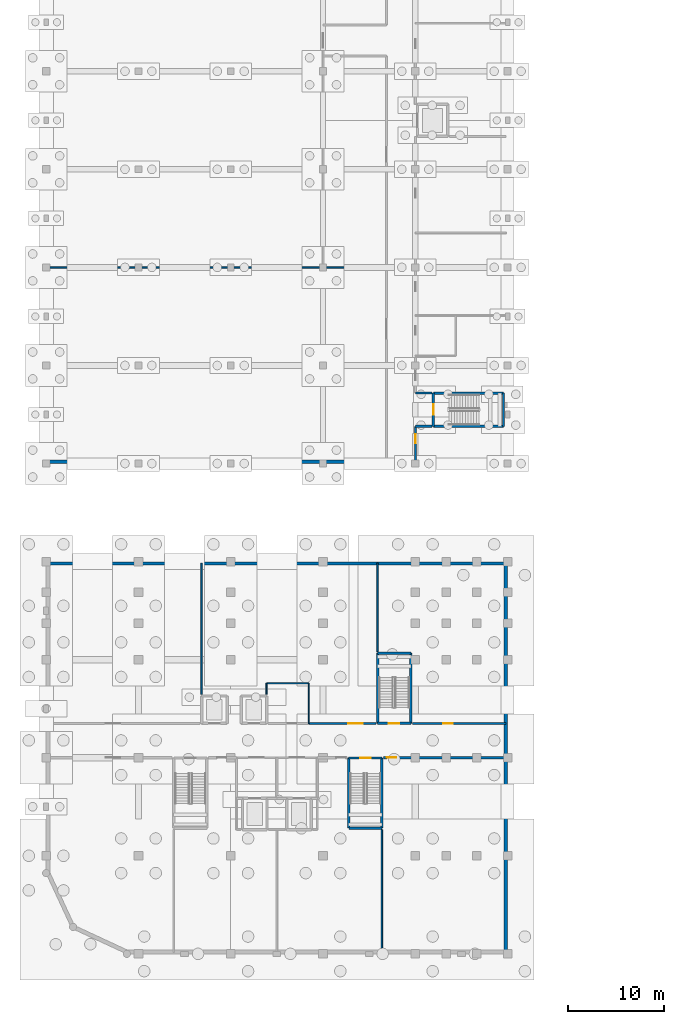
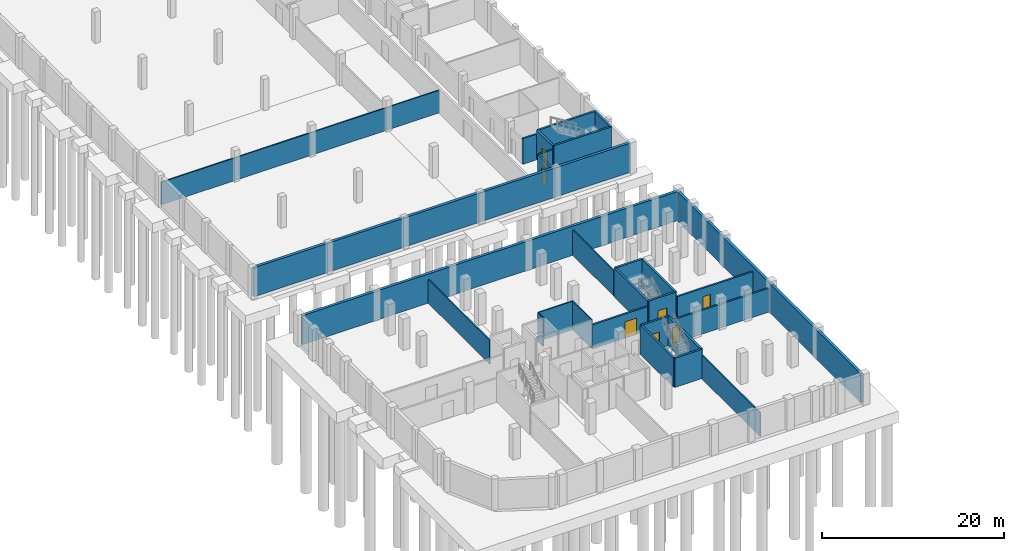
# One storey, part 10 of 18: 28 walls, 7 doors, 7 openings.
"""IFC4 building model written with IfcOpenShell, lengths in metres."""

import ifcopenshell
import ifcopenshell.guid

model = None  # the IFC model being written
_history = None  # IfcOwnerHistory: only IFC2X3 demands one
_inside = {}  # id of a spatial element -> (the spatial element, [elements in it])
_under = {}  # id of a project, library or spatial element -> (it, [spatial elements below it])
_declared = {}  # id of a project -> (the project, [libraries it declares])
_typed = {}  # id of a type object -> (the type object, [elements of that type])
_made_of = {}  # id of a material, layer set ... -> (it, [elements and type objects made of it])


def new_model(schema):
    """Start an empty IFC model of exactly this schema.

    Asked for "IFC4X3", IfcOpenShell would pick the latest addendum, in which some entities
    have other attributes; the version numbers below select the first issue.
    IFC2X3 requires an IfcOwnerHistory on every rooted entity: one is made here for all.
    """
    global model, _history
    if schema == "IFC4X3":
        model = ifcopenshell.file(schema_version=(4, 3, 0, 0))
    else:
        model = ifcopenshell.file(schema=schema)
    _inside.clear()
    _under.clear()
    _declared.clear()
    _typed.clear()
    _made_of.clear()
    _history = None
    if model.schema == "IFC2X3":
        org = make("IfcOrganization", Name="unknown")
        user = make(
            "IfcPersonAndOrganization",
            ThePerson=make("IfcPerson", FamilyName="unknown"),
            TheOrganization=org,
        )
        app = make(
            "IfcApplication",
            ApplicationDeveloper=org,
            Version="unknown",
            ApplicationFullName="unknown",
            ApplicationIdentifier="unknown",
        )
        _history = make(
            "IfcOwnerHistory",
            OwningUser=user,
            OwningApplication=app,
            ChangeAction="ADDED",
            CreationDate=0,
        )
    return model


def make(cls, **values):
    """One entity of the class cls with the attributes given. An attribute that is None is left unset."""
    return model.create_entity(
        cls, **{name: value for name, value in values.items() if value is not None}
    )


def rooted(cls, **values):
    """An entity with a GlobalId (a new one), such as an element, a storey or a relation."""
    return make(cls, GlobalId=ifcopenshell.guid.new(), OwnerHistory=_history, **values)


def si_unit(unit_type, name, prefix=None):
    """IfcSIUnit, for example si_unit("LENGTHUNIT", "METRE", prefix="MILLI")."""
    return make("IfcSIUnit", UnitType=unit_type, Prefix=prefix, Name=name)


def assignment(units):
    """IfcUnitAssignment: the units of a project."""
    return None if units is None else make("IfcUnitAssignment", Units=units)


def point(xyz):
    """IfcCartesianPoint."""
    return None if xyz is None else make("IfcCartesianPoint", Coordinates=xyz)


def direction(xyz):
    """IfcDirection."""
    return None if xyz is None else make("IfcDirection", DirectionRatios=xyz)


def frame(location, z_axis=None, x_axis=None):
    """IfcAxis2Placement3D, a coordinate frame: its origin and axes. An axis left out is left unset."""
    return make(
        "IfcAxis2Placement3D",
        Location=point(location),
        Axis=direction(z_axis),
        RefDirection=direction(x_axis),
    )


def frame_2d(location, x_axis=None):
    """IfcAxis2Placement2D, a coordinate frame in the plane: its origin and x axis."""
    return make(
        "IfcAxis2Placement2D", Location=point(location), RefDirection=direction(x_axis)
    )


def origin():
    """The frame at (0, 0, 0) with its axes left unset."""
    return frame((0.0, 0.0, 0.0))


def place(relative_to, where):
    """IfcLocalPlacement: puts the frame where relative to a parent placement (None: the world)."""
    return make(
        "IfcLocalPlacement", PlacementRelTo=relative_to, RelativePlacement=where
    )


def context(
    kind, dimensions, precision=None, world=None, true_north=None, identifier=None
):
    """IfcGeometricRepresentationContext, for example the 3D "Model" context."""
    return make(
        "IfcGeometricRepresentationContext",
        ContextIdentifier=identifier,
        ContextType=kind,
        CoordinateSpaceDimension=dimensions,
        Precision=precision,
        WorldCoordinateSystem=world,
        TrueNorth=true_north,
    )


def subcontext(parent, identifier, kind, view, scale=None):
    """IfcGeometricRepresentationSubContext, for example "Body" below "Model"."""
    return make(
        "IfcGeometricRepresentationSubContext",
        ContextIdentifier=identifier,
        ContextType=kind,
        ParentContext=parent,
        TargetScale=scale,
        TargetView=view,
    )


def project(units=None, contexts=None):
    """IfcProject with its units and contexts."""
    return rooted(
        "IfcProject",
        Name="project",
        RepresentationContexts=contexts,
        UnitsInContext=assignment(units),
    )


def spatial(cls, under=None, at=None, **own):
    """A site, building, storey or space (cls), placed at a placement, below another one or the project."""
    s = rooted(cls, ObjectPlacement=at, **own)
    if under is not None:
        _under.setdefault(under.id(), (under, []))[1].append(s)
    return s


def profile(cls, at=None, kind="AREA", **sizes):
    """A parametric profile (cls). Its sizes go by their IFC names, for example OverallWidth=200.0."""
    return make(cls, ProfileType=kind, Position=at, **sizes)


def rectangle(**sizes):
    """IfcRectangleProfileDef."""
    return profile("IfcRectangleProfileDef", **sizes)


def extrude(swept, where, along, depth):
    """IfcExtrudedAreaSolid: the profile swept, set in the frame where, extruded along a direction by depth."""
    return make(
        "IfcExtrudedAreaSolid",
        SweptArea=swept,
        Position=where,
        ExtrudedDirection=direction(along),
        Depth=depth,
    )


def shape(context_of_items, identifier, shape_type, items):
    """IfcShapeRepresentation: the items that make up one representation, for example the "Body"."""
    return make(
        "IfcShapeRepresentation",
        ContextOfItems=context_of_items,
        RepresentationIdentifier=identifier,
        RepresentationType=shape_type,
        Items=items,
    )


def material(Name=None, Category=None):
    """IfcMaterial."""
    return make("IfcMaterial", Name=Name, Category=Category)


def layer(
    of_material, thickness, ventilated=None, Name=None, Category=None, Priority=None
):
    """IfcMaterialLayer: one layer of a wall or slab, of a material (None: an air gap)."""
    return make(
        "IfcMaterialLayer",
        Material=of_material,
        LayerThickness=thickness,
        IsVentilated=ventilated,
        Name=Name,
        Category=Category,
        Priority=Priority,
    )


def layer_set(layers, Name=None):
    """IfcMaterialLayerSet."""
    return make("IfcMaterialLayerSet", MaterialLayers=layers, LayerSetName=Name)


def made_of(thing, what):
    """Note that an element or type object is made of a material, layer set ...; save() writes the relation."""
    if what is not None:
        _made_of.setdefault(what.id(), (what, []))[1].append(thing)
    return thing


def type_object(cls, material=None, **own):
    """A type object (cls), such as IfcWallType, which elements share."""
    return made_of(rooted(cls, **own), material)


def element(
    cls,
    number,
    at=None,
    inside=None,
    cuts=None,
    type_object=None,
    material=None,
    context=None,
    identifier="Body",
    shape_type=None,
    held_by="IfcProductDefinitionShape",
    body=None,
    shapes=None,
    **own,
):
    """One element of the class cls, such as IfcWall. Its Tag is "e" and its number.

    at: its placement. inside: the storey or other place that contains it. cuts: it is an
    opening in that element (IfcRelVoidsElement). A single representation is given by context,
    identifier, shape_type and body (its items); several are given by shapes. held_by: the class
    of the entity that holds the representations. save() writes the other relations.
    """
    e = rooted(cls, Tag="e%d" % number, ObjectPlacement=at, **own)
    if body is not None:
        shapes = [shape(context, identifier, shape_type, body)]
    if shapes is not None:
        e.Representation = make(held_by, Representations=shapes)
    if inside is not None:
        _inside.setdefault(inside.id(), (inside, []))[1].append(e)
    if cuts is not None:
        rooted(
            "IfcRelVoidsElement", RelatingBuildingElement=cuts, RelatedOpeningElement=e
        )
    if type_object is not None:
        _typed.setdefault(type_object.id(), (type_object, []))[1].append(e)
    return made_of(e, material)


def fill(opening, filler):
    """IfcRelFillsElement: the door or window that sits in an opening."""
    return rooted(
        "IfcRelFillsElement",
        RelatingOpeningElement=opening,
        RelatedBuildingElement=filler,
    )


def aggregate(whole, parts):
    """IfcRelAggregates: a whole, such as a stair, and the parts it consists of."""
    return rooted("IfcRelAggregates", RelatingObject=whole, RelatedObjects=parts)


def save(model, path):
    """Write the relations noted so far, then the file.

    IfcRelAggregates (storeys below a building ...), IfcRelContainedInSpatialStructure (elements
    in a storey), IfcRelDefinesByType, IfcRelAssociatesMaterial and IfcRelDeclares: one each for
    every whole, place, type object, material and project.
    """
    for whole, parts in _under.values():
        aggregate(whole, parts)
    for where, things in _inside.values():
        rooted(
            "IfcRelContainedInSpatialStructure",
            RelatedElements=things,
            RelatingStructure=where,
        )
    for kind, things in _typed.values():
        rooted("IfcRelDefinesByType", RelatedObjects=things, RelatingType=kind)
    for what, things in _made_of.values():
        rooted("IfcRelAssociatesMaterial", RelatedObjects=things, RelatingMaterial=what)
    for by, libraries in _declared.values():
        rooted("IfcRelDeclares", RelatingContext=by, RelatedDefinitions=libraries)
    model.write(path)


model = new_model("IFC4")

# Units and contexts
model_context = context("Model", 3, precision=1e-05, world=origin(), true_north=direction((0.0, 1.0)))
body_context = subcontext(model_context, "Body", "Model", "MODEL_VIEW")
ifc_project = project(units=[si_unit("LENGTHUNIT", "METRE"), si_unit("AREAUNIT", "SQUARE_METRE"), si_unit("VOLUMEUNIT", "CUBIC_METRE"), si_unit("PLANEANGLEUNIT", "RADIAN"), si_unit("MASSUNIT", "GRAM", prefix="KILO")], contexts=[model_context])

# Site, building, storey
site_placement = place(None, origin())
site = spatial("IfcSite", under=ifc_project, at=site_placement, CompositionType="ELEMENT")
building_placement = place(site_placement, origin())
building = spatial("IfcBuilding", under=site, at=building_placement, Name="Vondelvale Polytechnic", CompositionType="ELEMENT")
storey_placement = place(building_placement, frame((0.0, 0.0, -4.199951171875)))
storey = spatial("IfcBuildingStorey", under=building, at=storey_placement, Name="B1", CompositionType="ELEMENT", Elevation=-4.199951171875)

# Walls
ifc_material_1 = material(Name="Concrete N40 (f'c = 40 MPa)", Category="concrete")
ifc_layer_1 = layer(ifc_material_1, 0.25)
ifc_layer_set_1 = layer_set([ifc_layer_1], Name="WL-CORE-250")
wall_type_1 = type_object("IfcWallType", Name="WL-CORE-250", PredefinedType="SOLIDWALL", material=ifc_layer_set_1)
wall_1_placement = place(storey_placement, frame((40.27490234375, 54.875, 0.0), z_axis=(0.0, 0.0, 1.0), x_axis=(1.0, 0.0, 0.0)))
element("IfcWall", 1, at=wall_1_placement, inside=storey, type_object=wall_type_1, Name="B1 ST-01 reinforced concrete stair core wall", PredefinedType="SOLIDWALL", context=body_context, shape_type="SweptSolid", body=[
    extrude(rectangle(XDim=7.300048828125, YDim=0.25, at=frame_2d((3.64990234375, 0.0))), origin(), (0.0, 0.0, 1.0), 3.89990234375),
])
wall_2_placement = place(storey_placement, frame((47.574951171875, 54.875, 0.0), z_axis=(0.0, 0.0, 1.0), x_axis=(0.0, 1.0, 0.0)))
element("IfcWall", 2, at=wall_2_placement, inside=storey, type_object=wall_type_1, Name="B1 ST-01 reinforced concrete stair core wall", PredefinedType="SOLIDWALL", context=body_context, shape_type="SweptSolid", body=[
    extrude(rectangle(XDim=3.449951171875, YDim=0.25, at=frame_2d((1.72509765625, 0.0))), origin(), (0.0, 0.0, 1.0), 3.89990234375),
])
wall_3_placement = place(storey_placement, frame((47.574951171875, 58.324951171875, 0.0), z_axis=(0.0, 0.0, 1.0), x_axis=(-1.0, 0.0, 0.0)))
element("IfcWall", 3, at=wall_3_placement, inside=storey, type_object=wall_type_1, Name="B1 ST-01 reinforced concrete stair core wall", PredefinedType="SOLIDWALL", context=body_context, shape_type="SweptSolid", body=[
    extrude(rectangle(XDim=7.300048828125, YDim=0.25, at=frame_2d((3.64990234375, 0.0))), origin(), (0.0, 0.0, 1.0), 3.89990234375),
])

# Wall, opening, door
wall_4_placement = place(storey_placement, frame((40.27490234375, 58.324951171875, 0.0), z_axis=(0.0, 0.0, 1.0), x_axis=(0.0, -1.0, 0.0)))
wall_4 = element("IfcWall", 4, at=wall_4_placement, inside=storey, type_object=wall_type_1, Name="B1 ST-01 reinforced concrete stair core wall", PredefinedType="SOLIDWALL", context=body_context, shape_type="SweptSolid", body=[
    extrude(rectangle(XDim=3.449951171875, YDim=0.25, at=frame_2d((1.72509765625, 0.0))), origin(), (0.0, 0.0, 1.0), 3.89990234375),
])
opening_1_placement = place(wall_4_placement, frame((1.175048828125, 0.0, 0.0)))
opening_1 = element("IfcOpeningElement", 5, at=opening_1_placement, cuts=wall_4, Name="Opening SD-001", PredefinedType="OPENING", context=body_context, shape_type="SweptSolid", body=[
    extrude(rectangle(XDim=1.10009765625, YDim=2.199951171875, at=frame_2d((0.550048828125, 1.10009765625))), frame((0.0, 0.135009765625, 0.0), z_axis=(0.0, -1.0, 0.0), x_axis=(1.0, 0.0, 0.0)), (0.0, 0.0, 1.0), 0.27001953125),
])
ifc_material_2 = material(Name="Brushed architectural stainless and zinc-coated metal")
door_type_1 = type_object("IfcDoorType", Name="DR-STAIR-1100x2200", OperationType="SINGLE_SWING_LEFT", PredefinedType="DOOR", material=ifc_material_2)
door_1_placement = place(opening_1_placement, origin())
door_1 = element("IfcDoor", 6, at=door_1_placement, inside=storey, type_object=door_type_1, Name="B1 ST-01 fire-isolated stair door", OperationType="SINGLE_SWING_LEFT", OverallHeight=2.199951171875, OverallWidth=1.10009765625, PredefinedType="DOOR", context=body_context, shape_type="SweptSolid", body=[
    extrude(rectangle(XDim=1.10009765625, YDim=2.199951171875, at=frame_2d((0.550048828125, 1.10009765625))), frame((0.0, 0.02490234375, 0.0), z_axis=(0.0, -1.0, 0.0), x_axis=(1.0, 0.0, 0.0)), (0.0, 0.0, 1.0), 0.050048828125),
])
fill(opening_1, door_1)

# Walls
wall_5_placement = place(storey_placement, frame((31.47509765625, 20.375, 0.0), z_axis=(0.0, 0.0, 1.0), x_axis=(0.0, -1.0, 0.0)))
element("IfcWall", 7, at=wall_5_placement, inside=storey, type_object=wall_type_1, Name="B1 ST-04 reinforced concrete stair core wall", PredefinedType="SOLIDWALL", context=body_context, shape_type="SweptSolid", body=[
    extrude(rectangle(XDim=7.300048828125, YDim=0.25, at=frame_2d((3.64990234375, 0.0))), origin(), (0.0, 0.0, 1.0), 3.89990234375),
])
wall_6_placement = place(storey_placement, frame((31.47509765625, 13.074951171875, 0.0), z_axis=(0.0, 0.0, 1.0), x_axis=(1.0, 0.0, 0.0)))
element("IfcWall", 8, at=wall_6_placement, inside=storey, type_object=wall_type_1, Name="B1 ST-04 reinforced concrete stair core wall", PredefinedType="SOLIDWALL", context=body_context, shape_type="SweptSolid", body=[
    extrude(rectangle(XDim=3.449951171875, YDim=0.25, at=frame_2d((1.72509765625, 0.0))), origin(), (0.0, 0.0, 1.0), 3.89990234375),
])
wall_7_placement = place(storey_placement, frame((34.925048828125, 13.074951171875, 0.0), z_axis=(0.0, 0.0, 1.0), x_axis=(0.0, 1.0, 0.0)))
element("IfcWall", 9, at=wall_7_placement, inside=storey, type_object=wall_type_1, Name="B1 ST-04 reinforced concrete stair core wall", PredefinedType="SOLIDWALL", context=body_context, shape_type="SweptSolid", body=[
    extrude(rectangle(XDim=7.300048828125, YDim=0.25, at=frame_2d((3.64990234375, 0.0))), origin(), (0.0, 0.0, 1.0), 3.89990234375),
])

# Wall, opening, door
wall_8_placement = place(storey_placement, frame((34.925048828125, 20.375, 0.0), z_axis=(0.0, 0.0, 1.0), x_axis=(-1.0, 0.0, 0.0)))
wall_8 = element("IfcWall", 10, at=wall_8_placement, inside=storey, type_object=wall_type_1, Name="B1 ST-04 reinforced concrete stair core wall", PredefinedType="SOLIDWALL", context=body_context, shape_type="SweptSolid", body=[
    extrude(rectangle(XDim=3.449951171875, YDim=0.25, at=frame_2d((1.72509765625, 0.0))), origin(), (0.0, 0.0, 1.0), 3.89990234375),
])
opening_2_placement = place(wall_8_placement, frame((1.175048828125, 0.0, 0.0)))
opening_2 = element("IfcOpeningElement", 11, at=opening_2_placement, cuts=wall_8, Name="Opening SD-018", PredefinedType="OPENING", context=body_context, shape_type="SweptSolid", body=[
    extrude(rectangle(XDim=1.10009765625, YDim=2.199951171875, at=frame_2d((0.550048828125, 1.10009765625))), frame((0.0, 0.135009765625, 0.0), z_axis=(0.0, -1.0, 0.0), x_axis=(1.0, 0.0, 0.0)), (0.0, 0.0, 1.0), 0.27001953125),
])
door_2_placement = place(opening_2_placement, origin())
door_2 = element("IfcDoor", 12, at=door_2_placement, inside=storey, type_object=door_type_1, Name="B1 ST-04 fire-isolated stair door", OperationType="SINGLE_SWING_RIGHT", OverallHeight=2.199951171875, OverallWidth=1.10009765625, PredefinedType="DOOR", context=body_context, shape_type="SweptSolid", body=[
    extrude(rectangle(XDim=1.10009765625, YDim=2.199951171875, at=frame_2d((0.550048828125, 1.10009765625))), frame((0.0, 0.02490234375, 0.0), z_axis=(0.0, -1.0, 0.0), x_axis=(1.0, 0.0, 0.0)), (0.0, 0.0, 1.0), 0.050048828125),
])
fill(opening_2, door_2)

# Walls
wall_9_placement = place(storey_placement, frame((37.925048828125, 23.97509765625, 0.0), z_axis=(0.0, 0.0, 1.0), x_axis=(0.0, 1.0, 0.0)))
element("IfcWall", 13, at=wall_9_placement, inside=storey, type_object=wall_type_1, Name="B1 ST-05 reinforced concrete stair core wall", PredefinedType="SOLIDWALL", context=body_context, shape_type="SweptSolid", body=[
    extrude(rectangle(XDim=7.2998046875, YDim=0.25, at=frame_2d((3.64990234375, 0.0))), origin(), (0.0, 0.0, 1.0), 3.89990234375),
])
wall_10_placement = place(storey_placement, frame((37.925048828125, 31.27490234375, 0.0), z_axis=(0.0, 0.0, 1.0), x_axis=(-1.0, 0.0, 0.0)))
element("IfcWall", 14, at=wall_10_placement, inside=storey, type_object=wall_type_1, Name="B1 ST-05 reinforced concrete stair core wall", PredefinedType="SOLIDWALL", context=body_context, shape_type="SweptSolid", body=[
    extrude(rectangle(XDim=3.449951171875, YDim=0.25, at=frame_2d((1.72509765625, 0.0))), origin(), (0.0, 0.0, 1.0), 3.89990234375),
])
wall_11_placement = place(storey_placement, frame((34.47509765625, 31.27490234375, 0.0), z_axis=(0.0, 0.0, 1.0), x_axis=(0.0, -1.0, 0.0)))
element("IfcWall", 15, at=wall_11_placement, inside=storey, type_object=wall_type_1, Name="B1 ST-05 reinforced concrete stair core wall", PredefinedType="SOLIDWALL", context=body_context, shape_type="SweptSolid", body=[
    extrude(rectangle(XDim=7.2998046875, YDim=0.25, at=frame_2d((3.64990234375, 0.0))), origin(), (0.0, 0.0, 1.0), 3.89990234375),
])

# Wall, opening, door
wall_12_placement = place(storey_placement, frame((34.47509765625, 23.97509765625, 0.0), z_axis=(0.0, 0.0, 1.0), x_axis=(1.0, 0.0, 0.0)))
wall_12 = element("IfcWall", 16, at=wall_12_placement, inside=storey, type_object=wall_type_1, Name="B1 ST-05 reinforced concrete stair core wall", PredefinedType="SOLIDWALL", context=body_context, shape_type="SweptSolid", body=[
    extrude(rectangle(XDim=3.449951171875, YDim=0.25, at=frame_2d((1.72509765625, 0.0))), origin(), (0.0, 0.0, 1.0), 3.89990234375),
])
opening_3_placement = place(wall_12_placement, frame((1.175048828125, 0.0, 0.0)))
opening_3 = element("IfcOpeningElement", 17, at=opening_3_placement, cuts=wall_12, Name="Opening SD-027", PredefinedType="OPENING", context=body_context, shape_type="SweptSolid", body=[
    extrude(rectangle(XDim=1.10009765625, YDim=2.199951171875, at=frame_2d((0.550048828125, 1.10009765625))), frame((0.0, 0.135009765625, 0.0), z_axis=(0.0, -1.0, 0.0), x_axis=(1.0, 0.0, 0.0)), (0.0, 0.0, 1.0), 0.27001953125),
])
door_3_placement = place(opening_3_placement, origin())
door_3 = element("IfcDoor", 18, at=door_3_placement, inside=storey, type_object=door_type_1, Name="B1 ST-05 fire-isolated stair door", OperationType="SINGLE_SWING_LEFT", OverallHeight=2.199951171875, OverallWidth=1.10009765625, PredefinedType="DOOR", context=body_context, shape_type="SweptSolid", body=[
    extrude(rectangle(XDim=1.10009765625, YDim=2.199951171875, at=frame_2d((0.550048828125, 1.10009765625))), frame((0.0, 0.02490234375, 0.0), z_axis=(0.0, -1.0, 0.0), x_axis=(1.0, 0.0, 0.0)), (0.0, 0.0, 1.0), 0.050048828125),
])
fill(opening_3, door_3)

ifc_material_3 = material(Name="Fire-rated double-layer plasterboard stud partition")
ifc_layer_2 = layer(ifc_material_3, 0.219970703125)
ifc_layer_set_2 = layer_set([ifc_layer_2], Name="WL-CORR-220")
wall_type_2 = type_object("IfcWallType", Name="WL-CORR-220", PredefinedType="PARTITIONING", material=ifc_layer_set_2)
wall_13_placement = place(storey_placement, frame((38.39990234375, 51.14990234375, 0.0), z_axis=(0.0, 0.0, 1.0), x_axis=(0.0, 1.0, 0.0)))
wall_13 = element("IfcWall", 19, at=wall_13_placement, inside=storey, type_object=wall_type_2, Name="B1 interior acoustic partition", PredefinedType="PARTITIONING", context=body_context, shape_type="SweptSolid", body=[
    extrude(rectangle(XDim=3.72509765625, YDim=0.219970703125, at=frame_2d((1.862548828125, 0.0))), origin(), (0.0, 0.0, 1.0), 3.4228515625),
])
opening_4_placement = place(wall_13_placement, frame((1.949951171875, 0.0, 0.0)))
opening_4 = element("IfcOpeningElement", 20, at=opening_4_placement, cuts=wall_13, Name="Opening ID-0079", PredefinedType="OPENING", context=body_context, shape_type="SweptSolid", body=[
    extrude(rectangle(XDim=0.949951171875, YDim=2.10009765625, at=frame_2d((0.47509765625, 1.050048828125))), frame((0.0, 0.119873046875, 0.0), z_axis=(0.0, -1.0, 0.0), x_axis=(1.0, 0.0, 0.0)), (0.0, 0.0, 1.0), 0.239990234375),
])
ifc_material_4 = material(Name="Fire-rated solid Tasmanian oak joinery")
door_type_2 = type_object("IfcDoorType", Name="DR-INT-0950x2100", OperationType="SINGLE_SWING_LEFT", PredefinedType="DOOR", material=ifc_material_4)
door_4_placement = place(opening_4_placement, origin())
door_4 = element("IfcDoor", 21, at=door_4_placement, inside=storey, type_object=door_type_2, Name="B1 interior room door ID-0079", OperationType="SINGLE_SWING_LEFT", OverallHeight=2.10009765625, OverallWidth=0.949951171875, PredefinedType="DOOR", context=body_context, shape_type="SweptSolid", body=[
    extrude(rectangle(XDim=0.949951171875, YDim=2.10009765625, at=frame_2d((0.47509765625, 1.050048828125))), frame((0.0, 0.02490234375, 0.0), z_axis=(0.0, -1.0, 0.0), x_axis=(1.0, 0.0, 0.0)), (0.0, 0.0, 1.0), 0.050048828125),
])
fill(opening_4, door_4)

# Walls
for number, where, z_axis, x_axis, name in (
    (22, (38.39990234375, 54.875, 0.0), (0.0, 0.0, 1.0), (1.0, 0.0, 0.0), "B1 interior acoustic partition"),
    (23, (38.39990234375, 58.324951171875, 0.0), (0.0, 0.0, 1.0), (1.0, 0.0, 0.0), "B1 interior acoustic partition"),
):
    element("IfcWall", number, at=place(storey_placement, frame(where, z_axis=z_axis, x_axis=x_axis)), inside=storey, type_object=wall_type_2, Name=name, PredefinedType="PARTITIONING", context=body_context, shape_type="SweptSolid", body=[
        extrude(rectangle(XDim=1.710205078125, YDim=0.219970703125, at=frame_2d((0.85498046875, 0.0))), origin(), (0.0, 0.0, 1.0), 3.4228515625),
    ])

# Wall, opening, door
wall_14_placement = place(storey_placement, frame((35.090087890625, 20.39990234375, 0.0), z_axis=(0.0, 0.0, 1.0), x_axis=(1.0, 0.0, 0.0)))
wall_14 = element("IfcWall", 24, at=wall_14_placement, inside=storey, type_object=wall_type_2, Name="B1 interior acoustic partition", PredefinedType="PARTITIONING", context=body_context, shape_type="SweptSolid", body=[
    extrude(rectangle(XDim=12.760009765625, YDim=0.219970703125, at=frame_2d((6.3798828125, 0.0))), origin(), (0.0, 0.0, 1.0), 3.179931640625),
])
opening_5_placement = place(wall_14_placement, frame((0.35498046875, 0.0, 0.0)))
opening_5 = element("IfcOpeningElement", 25, at=opening_5_placement, cuts=wall_14, Name="Opening ID-0132", PredefinedType="OPENING", context=body_context, shape_type="SweptSolid", body=[
    extrude(rectangle(XDim=0.949951171875, YDim=2.10009765625, at=frame_2d((0.47509765625, 1.050048828125))), frame((0.0, 0.119873046875, 0.0), z_axis=(0.0, -1.0, 0.0), x_axis=(1.0, 0.0, 0.0)), (0.0, 0.0, 1.0), 0.239990234375),
])
door_5_placement = place(opening_5_placement, origin())
door_5 = element("IfcDoor", 26, at=door_5_placement, inside=storey, type_object=door_type_2, Name="B1 interior room door ID-0132", OperationType="SINGLE_SWING_RIGHT", OverallHeight=2.10009765625, OverallWidth=0.949951171875, PredefinedType="DOOR", context=body_context, shape_type="SweptSolid", body=[
    extrude(rectangle(XDim=0.949951171875, YDim=2.10009765625, at=frame_2d((0.47509765625, 1.050048828125))), frame((0.0, 0.02490234375, 0.0), z_axis=(0.0, -1.0, 0.0), x_axis=(1.0, 0.0, 0.0)), (0.0, 0.0, 1.0), 0.050048828125),
])
fill(opening_5, door_5)

wall_15_placement = place(storey_placement, frame((27.324951171875, 23.949951171875, 0.0), z_axis=(0.0, 0.0, 1.0), x_axis=(1.0, 0.0, 0.0)))
wall_15 = element("IfcWall", 27, at=wall_15_placement, inside=storey, type_object=wall_type_2, Name="B1 interior acoustic partition", PredefinedType="PARTITIONING", context=body_context, shape_type="SweptSolid", body=[
    extrude(rectangle(XDim=6.985107421875, YDim=0.219970703125, at=frame_2d((3.49267578125, 0.0))), origin(), (0.0, 0.0, 1.0), 3.22998046875),
])
opening_6_placement = place(wall_15_placement, frame((4.10009765625, 0.0, 0.0)))
opening_6 = element("IfcOpeningElement", 28, at=opening_6_placement, cuts=wall_15, Name="Opening ID-0135", PredefinedType="OPENING", context=body_context, shape_type="SweptSolid", body=[
    extrude(rectangle(XDim=1.5, YDim=2.199951171875, at=frame_2d((0.75, 1.10009765625))), frame((0.0, 0.119873046875, 0.0), z_axis=(0.0, -1.0, 0.0), x_axis=(1.0, 0.0, 0.0)), (0.0, 0.0, 1.0), 0.239990234375),
])
door_type_3 = type_object("IfcDoorType", Name="DR-LAB-1500x2200", OperationType="DOUBLE_DOOR_SINGLE_SWING", PredefinedType="DOOR", material=ifc_material_4)
door_6_placement = place(opening_6_placement, origin())
door_6 = element("IfcDoor", 29, at=door_6_placement, inside=storey, type_object=door_type_3, Name="B1 interior room door ID-0135", OperationType="DOUBLE_DOOR_SINGLE_SWING", OverallHeight=2.199951171875, OverallWidth=1.5, PredefinedType="DOOR", context=body_context, shape_type="SweptSolid", body=[
    extrude(rectangle(XDim=1.5, YDim=2.199951171875, at=frame_2d((0.75, 1.10009765625))), frame((0.0, 0.02490234375, 0.0), z_axis=(0.0, -1.0, 0.0), x_axis=(1.0, 0.0, 0.0)), (0.0, 0.0, 1.0), 0.050048828125),
])
fill(opening_6, door_6)

wall_16_placement = place(storey_placement, frame((38.090087890625, 23.949951171875, 0.0), z_axis=(0.0, 0.0, 1.0), x_axis=(1.0, 0.0, 0.0)))
wall_16 = element("IfcWall", 30, at=wall_16_placement, inside=storey, type_object=wall_type_2, Name="B1 interior acoustic partition", PredefinedType="PARTITIONING", context=body_context, shape_type="SweptSolid", body=[
    extrude(rectangle(XDim=9.760009765625, YDim=0.219970703125, at=frame_2d((4.8798828125, 0.0))), origin(), (0.0, 0.0, 1.0), 3.22998046875),
])
opening_7_placement = place(wall_16_placement, frame((3.235107421875, 0.0, 0.0)))
opening_7 = element("IfcOpeningElement", 31, at=opening_7_placement, cuts=wall_16, Name="Opening ID-0136", PredefinedType="OPENING", context=body_context, shape_type="SweptSolid", body=[
    extrude(rectangle(XDim=0.949951171875, YDim=2.10009765625, at=frame_2d((0.47509765625, 1.050048828125))), frame((0.0, 0.119873046875, 0.0), z_axis=(0.0, -1.0, 0.0), x_axis=(1.0, 0.0, 0.0)), (0.0, 0.0, 1.0), 0.239990234375),
])
door_7_placement = place(opening_7_placement, origin())
door_7 = element("IfcDoor", 32, at=door_7_placement, inside=storey, type_object=door_type_2, Name="B1 interior room door ID-0136", OperationType="SINGLE_SWING_RIGHT", OverallHeight=2.10009765625, OverallWidth=0.949951171875, PredefinedType="DOOR", context=body_context, shape_type="SweptSolid", body=[
    extrude(rectangle(XDim=0.949951171875, YDim=2.10009765625, at=frame_2d((0.47509765625, 1.050048828125))), frame((0.0, 0.02490234375, 0.0), z_axis=(0.0, -1.0, 0.0), x_axis=(1.0, 0.0, 0.0)), (0.0, 0.0, 1.0), 0.050048828125),
])
fill(opening_7, door_7)

# Walls
ifc_layer_3 = layer(ifc_material_3, 0.1201171875)
ifc_layer_set_3 = layer_set([ifc_layer_3], Name="WL-INT-120")
wall_type_3 = type_object("IfcWallType", Name="WL-INT-120", PredefinedType="PARTITIONING", material=ifc_layer_set_3)
wall_17_placement = place(storey_placement, frame((22.925048828125, 26.989990234375, 0.0), z_axis=(0.0, 0.0, 1.0), x_axis=(0.0, 1.0, 0.0)))
element("IfcWall", 33, at=wall_17_placement, inside=storey, type_object=wall_type_3, Name="B1 interior acoustic partition", PredefinedType="PARTITIONING", context=body_context, shape_type="SweptSolid", body=[
    extrude(rectangle(XDim=1.159912109375, YDim=0.1201171875, at=frame_2d((0.580078125, 0.0))), origin(), (0.0, 0.0, 1.0), 3.849853515625),
])
wall_18_placement = place(storey_placement, frame((22.925048828125, 28.14990234375, 0.0), z_axis=(0.0, 0.0, 1.0), x_axis=(1.0, 0.0, 0.0)))
element("IfcWall", 34, at=wall_18_placement, inside=storey, type_object=wall_type_3, Name="B1 interior acoustic partition", PredefinedType="PARTITIONING", context=body_context, shape_type="SweptSolid", body=[
    extrude(rectangle(XDim=4.39990234375, YDim=0.1201171875, at=frame_2d((2.199951171875, 0.0))), origin(), (0.0, 0.0, 1.0), 3.849853515625),
])
wall_19_placement = place(storey_placement, frame((27.324951171875, 23.949951171875, 0.0), z_axis=(0.0, 0.0, 1.0), x_axis=(0.0, 1.0, 0.0)))
element("IfcWall", 35, at=wall_19_placement, inside=storey, type_object=wall_type_3, Name="B1 interior acoustic partition", PredefinedType="PARTITIONING", context=body_context, shape_type="SweptSolid", body=[
    extrude(rectangle(XDim=4.199951171875, YDim=0.1201171875, at=frame_2d((2.10009765625, 0.0))), origin(), (0.0, 0.0, 1.0), 3.849853515625),
])
ifc_layer_4 = layer(ifc_material_3, 0.14990234375)
ifc_layer_set_4 = layer_set([ifc_layer_4], Name="WL-INT-150")
wall_type_4 = type_object("IfcWallType", Name="WL-INT-150", PredefinedType="PARTITIONING", material=ifc_layer_set_4)
wall_20_placement = place(storey_placement, frame((0.14990234375, 71.39990234375, 0.0), z_axis=(0.0, 0.0, 1.0), x_axis=(1.0, 0.0, 0.0)))
element("IfcWall", 36, at=wall_20_placement, inside=storey, type_object=wall_type_4, Name="B1 interior acoustic partition", PredefinedType="PARTITIONING", context=body_context, shape_type="SweptSolid", body=[
    extrude(rectangle(XDim=35.25, YDim=0.14990234375, at=frame_2d((17.625, 0.0))), origin(), (0.0, 0.0, 1.0), 3.030029296875),
])
wall_21_placement = place(storey_placement, frame((34.925048828125, 0.14990234375, 0.0), z_axis=(0.0, 0.0, 1.0), x_axis=(0.0, 1.0, 0.0)))
element("IfcWall", 37, at=wall_21_placement, inside=storey, type_object=wall_type_4, Name="B1 interior acoustic partition", PredefinedType="PARTITIONING", context=body_context, shape_type="SweptSolid", body=[
    extrude(rectangle(XDim=12.760009765625, YDim=0.14990234375, at=frame_2d((6.3798828125, 0.0))), origin(), (0.0, 0.0, 1.0), 3.179931640625),
])
wall_22_placement = place(storey_placement, frame((16.175048828125, 26.989990234375, 0.0), z_axis=(0.0, 0.0, 1.0), x_axis=(0.0, 1.0, 0.0)))
element("IfcWall", 38, at=wall_22_placement, inside=storey, type_object=wall_type_4, Name="B1 interior acoustic partition", PredefinedType="PARTITIONING", context=body_context, shape_type="SweptSolid", body=[
    extrude(rectangle(XDim=13.659912109375, YDim=0.14990234375, at=frame_2d((6.830078125, 0.0))), origin(), (0.0, 0.0, 1.0), 3.179931640625),
])
wall_23_placement = place(storey_placement, frame((34.47509765625, 31.43994140625, 0.0), z_axis=(0.0, 0.0, 1.0), x_axis=(0.0, 1.0, 0.0)))
element("IfcWall", 39, at=wall_23_placement, inside=storey, type_object=wall_type_4, Name="B1 interior acoustic partition", PredefinedType="PARTITIONING", context=body_context, shape_type="SweptSolid", body=[
    extrude(rectangle(XDim=9.2099609375, YDim=0.14990234375, at=frame_2d((4.60498046875, 0.0))), origin(), (0.0, 0.0, 1.0), 3.3798828125),
])
ifc_layer_5 = layer(ifc_material_1, 0.35009765625)
ifc_layer_set_5 = layer_set([ifc_layer_5], Name="WL-RET-350")
wall_type_5 = type_object("IfcWallType", Name="WL-RET-350", PredefinedType="USERDEFINED", material=ifc_layer_set_5)
wall_24_placement = place(storey_placement, frame((0.199951171875, 51.199951171875, 0.0), z_axis=(0.0, 0.0, 1.0), x_axis=(1.0, 0.0, 0.0)))
element("IfcWall", 40, at=wall_24_placement, inside=storey, type_object=wall_type_5, Name="Basement retaining wall V1-S", ObjectType="RETAININGWALL", PredefinedType="USERDEFINED", context=body_context, shape_type="SweptSolid", body=[
    extrude(rectangle(XDim=47.60009765625, YDim=0.35009765625, at=frame_2d((23.800048828125, 0.0))), origin(), (0.0, 0.0, 1.0), 3.89990234375),
])
wall_25_placement = place(storey_placement, frame((47.800048828125, 0.199951171875, 0.0), z_axis=(0.0, 0.0, 1.0), x_axis=(0.0, 1.0, 0.0)))
element("IfcWall", 41, at=wall_25_placement, inside=storey, type_object=wall_type_5, Name="Basement retaining wall V2-E", ObjectType="RETAININGWALL", PredefinedType="USERDEFINED", context=body_context, shape_type="SweptSolid", body=[
    extrude(rectangle(XDim=40.400146484375, YDim=0.35009765625, at=frame_2d((20.2001953125, 0.0))), origin(), (0.0, 0.0, 1.0), 3.89990234375),
])
wall_26_placement = place(storey_placement, frame((0.199951171875, 40.60009765625, 0.0), z_axis=(0.0, 0.0, 1.0), x_axis=(1.0, 0.0, 0.0)))
element("IfcWall", 42, at=wall_26_placement, inside=storey, type_object=wall_type_5, Name="Basement retaining wall V2-N", ObjectType="RETAININGWALL", PredefinedType="USERDEFINED", context=body_context, shape_type="SweptSolid", body=[
    extrude(rectangle(XDim=47.60009765625, YDim=0.35009765625, at=frame_2d((23.800048828125, 0.0))), origin(), (0.0, 0.0, 1.0), 3.89990234375),
])

save(model, "model.ifc")
